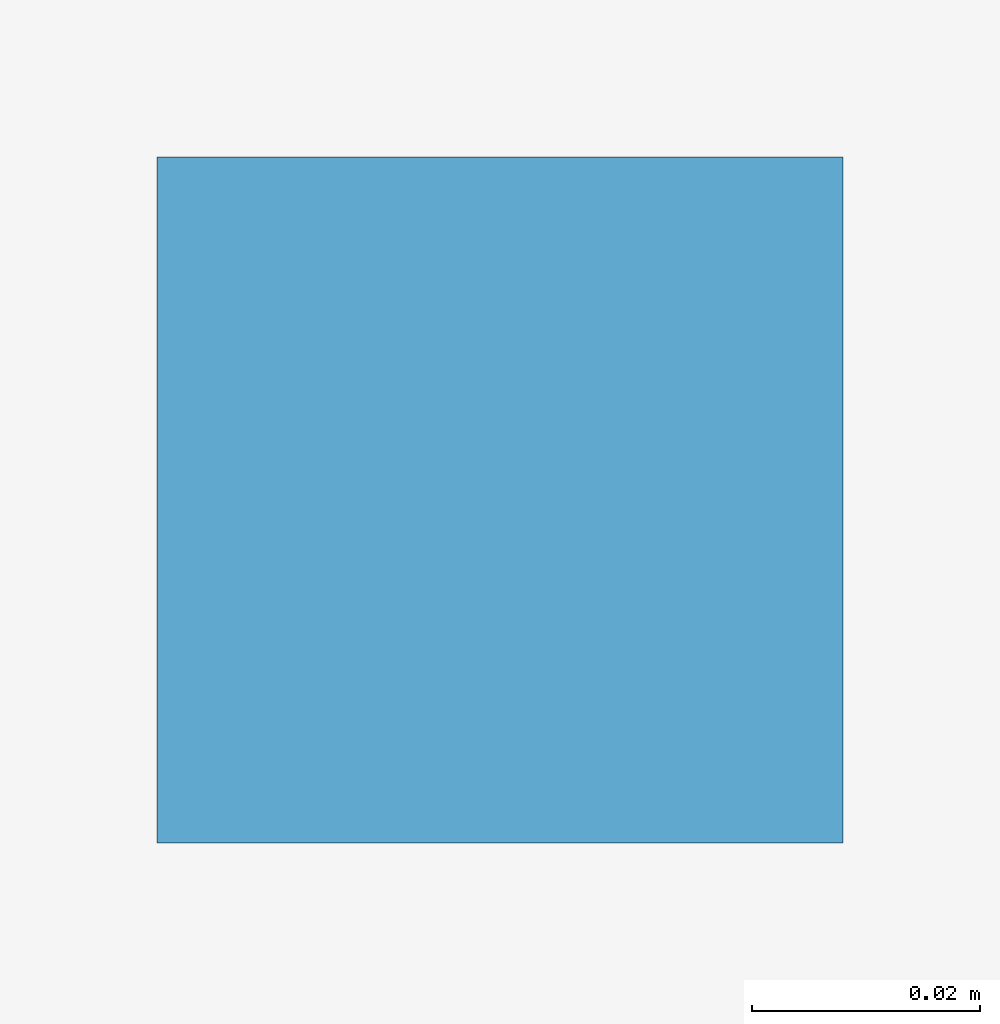
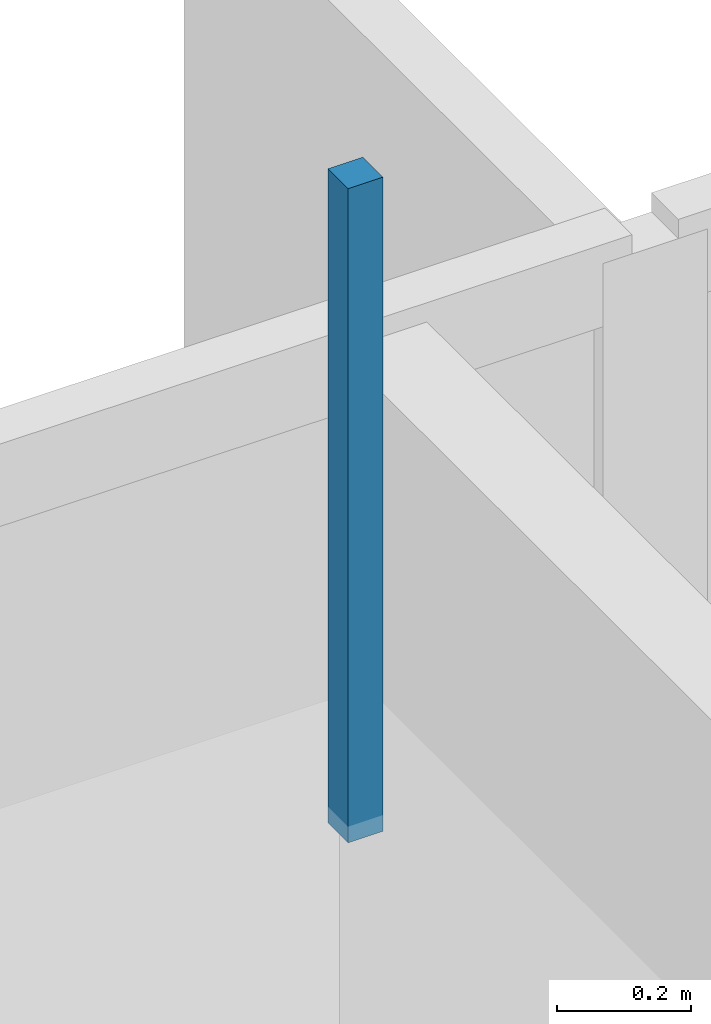
# One storey, part 31 of 41: 1 discrete accessory.
"""IFC4 building model written with IfcOpenShell, lengths in metres."""

import ifcopenshell
import ifcopenshell.guid

model = None  # the IFC model being written
_history = None  # IfcOwnerHistory: only IFC2X3 demands one
_inside = {}  # id of a spatial element -> (the spatial element, [elements in it])
_under = {}  # id of a project, library or spatial element -> (it, [spatial elements below it])
_declared = {}  # id of a project -> (the project, [libraries it declares])
_typed = {}  # id of a type object -> (the type object, [elements of that type])
_made_of = {}  # id of a material, layer set ... -> (it, [elements and type objects made of it])


def new_model(schema):
    """Start an empty IFC model of exactly this schema.

    Asked for "IFC4X3", IfcOpenShell would pick the latest addendum, in which some entities
    have other attributes; the version numbers below select the first issue.
    IFC2X3 requires an IfcOwnerHistory on every rooted entity: one is made here for all.
    """
    global model, _history
    if schema == "IFC4X3":
        model = ifcopenshell.file(schema_version=(4, 3, 0, 0))
    else:
        model = ifcopenshell.file(schema=schema)
    _inside.clear()
    _under.clear()
    _declared.clear()
    _typed.clear()
    _made_of.clear()
    _history = None
    if model.schema == "IFC2X3":
        org = make("IfcOrganization", Name="unknown")
        user = make(
            "IfcPersonAndOrganization",
            ThePerson=make("IfcPerson", FamilyName="unknown"),
            TheOrganization=org,
        )
        app = make(
            "IfcApplication",
            ApplicationDeveloper=org,
            Version="unknown",
            ApplicationFullName="unknown",
            ApplicationIdentifier="unknown",
        )
        _history = make(
            "IfcOwnerHistory",
            OwningUser=user,
            OwningApplication=app,
            ChangeAction="ADDED",
            CreationDate=0,
        )
    return model


def make(cls, **values):
    """One entity of the class cls with the attributes given. An attribute that is None is left unset."""
    return model.create_entity(
        cls, **{name: value for name, value in values.items() if value is not None}
    )


def rooted(cls, **values):
    """An entity with a GlobalId (a new one), such as an element, a storey or a relation."""
    return make(cls, GlobalId=ifcopenshell.guid.new(), OwnerHistory=_history, **values)


def si_unit(unit_type, name, prefix=None):
    """IfcSIUnit, for example si_unit("LENGTHUNIT", "METRE", prefix="MILLI")."""
    return make("IfcSIUnit", UnitType=unit_type, Prefix=prefix, Name=name)


def assignment(units):
    """IfcUnitAssignment: the units of a project."""
    return None if units is None else make("IfcUnitAssignment", Units=units)


def point(xyz):
    """IfcCartesianPoint."""
    return None if xyz is None else make("IfcCartesianPoint", Coordinates=xyz)


def direction(xyz):
    """IfcDirection."""
    return None if xyz is None else make("IfcDirection", DirectionRatios=xyz)


def frame(location, z_axis=None, x_axis=None):
    """IfcAxis2Placement3D, a coordinate frame: its origin and axes. An axis left out is left unset."""
    return make(
        "IfcAxis2Placement3D",
        Location=point(location),
        Axis=direction(z_axis),
        RefDirection=direction(x_axis),
    )


def origin():
    """The frame at (0, 0, 0) with its axes left unset."""
    return frame((0.0, 0.0, 0.0))


def place(relative_to, where):
    """IfcLocalPlacement: puts the frame where relative to a parent placement (None: the world)."""
    return make(
        "IfcLocalPlacement", PlacementRelTo=relative_to, RelativePlacement=where
    )


def context(
    kind, dimensions, precision=None, world=None, true_north=None, identifier=None
):
    """IfcGeometricRepresentationContext, for example the 3D "Model" context."""
    return make(
        "IfcGeometricRepresentationContext",
        ContextIdentifier=identifier,
        ContextType=kind,
        CoordinateSpaceDimension=dimensions,
        Precision=precision,
        WorldCoordinateSystem=world,
        TrueNorth=true_north,
    )


def subcontext(parent, identifier, kind, view, scale=None):
    """IfcGeometricRepresentationSubContext, for example "Body" below "Model"."""
    return make(
        "IfcGeometricRepresentationSubContext",
        ContextIdentifier=identifier,
        ContextType=kind,
        ParentContext=parent,
        TargetScale=scale,
        TargetView=view,
    )


def project(units=None, contexts=None):
    """IfcProject with its units and contexts."""
    return rooted(
        "IfcProject",
        Name="project",
        RepresentationContexts=contexts,
        UnitsInContext=assignment(units),
    )


def spatial(cls, under=None, at=None, **own):
    """A site, building, storey or space (cls), placed at a placement, below another one or the project."""
    s = rooted(cls, ObjectPlacement=at, **own)
    if under is not None:
        _under.setdefault(under.id(), (under, []))[1].append(s)
    return s


def polyline(points):
    """IfcPolyline through the points."""
    return make("IfcPolyline", Points=[point(p) for p in points])


def outline(outer, holes=None, kind="AREA"):
    """IfcArbitraryClosedProfileDef: a profile drawn as a closed curve; with holes, ...WithVoids."""
    if holes is None:
        return make("IfcArbitraryClosedProfileDef", ProfileType=kind, OuterCurve=outer)
    return make(
        "IfcArbitraryProfileDefWithVoids",
        ProfileType=kind,
        OuterCurve=outer,
        InnerCurves=holes,
    )


def extrude(swept, where, along, depth):
    """IfcExtrudedAreaSolid: the profile swept, set in the frame where, extruded along a direction by depth."""
    return make(
        "IfcExtrudedAreaSolid",
        SweptArea=swept,
        Position=where,
        ExtrudedDirection=direction(along),
        Depth=depth,
    )


def shape(context_of_items, identifier, shape_type, items):
    """IfcShapeRepresentation: the items that make up one representation, for example the "Body"."""
    return make(
        "IfcShapeRepresentation",
        ContextOfItems=context_of_items,
        RepresentationIdentifier=identifier,
        RepresentationType=shape_type,
        Items=items,
    )


def material(Name=None, Category=None):
    """IfcMaterial."""
    return make("IfcMaterial", Name=Name, Category=Category)


def made_of(thing, what):
    """Note that an element or type object is made of a material, layer set ...; save() writes the relation."""
    if what is not None:
        _made_of.setdefault(what.id(), (what, []))[1].append(thing)
    return thing


def type_object(cls, material=None, **own):
    """A type object (cls), such as IfcWallType, which elements share."""
    return made_of(rooted(cls, **own), material)


def element(
    cls,
    number,
    at=None,
    inside=None,
    cuts=None,
    type_object=None,
    material=None,
    context=None,
    identifier="Body",
    shape_type=None,
    held_by="IfcProductDefinitionShape",
    body=None,
    shapes=None,
    **own,
):
    """One element of the class cls, such as IfcWall. Its Tag is "e" and its number.

    at: its placement. inside: the storey or other place that contains it. cuts: it is an
    opening in that element (IfcRelVoidsElement). A single representation is given by context,
    identifier, shape_type and body (its items); several are given by shapes. held_by: the class
    of the entity that holds the representations. save() writes the other relations.
    """
    e = rooted(cls, Tag="e%d" % number, ObjectPlacement=at, **own)
    if body is not None:
        shapes = [shape(context, identifier, shape_type, body)]
    if shapes is not None:
        e.Representation = make(held_by, Representations=shapes)
    if inside is not None:
        _inside.setdefault(inside.id(), (inside, []))[1].append(e)
    if cuts is not None:
        rooted(
            "IfcRelVoidsElement", RelatingBuildingElement=cuts, RelatedOpeningElement=e
        )
    if type_object is not None:
        _typed.setdefault(type_object.id(), (type_object, []))[1].append(e)
    return made_of(e, material)


def aggregate(whole, parts):
    """IfcRelAggregates: a whole, such as a stair, and the parts it consists of."""
    return rooted("IfcRelAggregates", RelatingObject=whole, RelatedObjects=parts)


def save(model, path):
    """Write the relations noted so far, then the file.

    IfcRelAggregates (storeys below a building ...), IfcRelContainedInSpatialStructure (elements
    in a storey), IfcRelDefinesByType, IfcRelAssociatesMaterial and IfcRelDeclares: one each for
    every whole, place, type object, material and project.
    """
    for whole, parts in _under.values():
        aggregate(whole, parts)
    for where, things in _inside.values():
        rooted(
            "IfcRelContainedInSpatialStructure",
            RelatedElements=things,
            RelatingStructure=where,
        )
    for kind, things in _typed.values():
        rooted("IfcRelDefinesByType", RelatedObjects=things, RelatingType=kind)
    for what, things in _made_of.values():
        rooted("IfcRelAssociatesMaterial", RelatedObjects=things, RelatingMaterial=what)
    for by, libraries in _declared.values():
        rooted("IfcRelDeclares", RelatingContext=by, RelatedDefinitions=libraries)
    model.write(path)


model = new_model("IFC4")

# Units and contexts
model_context = context("Model", 3, precision=1e-05, world=origin(), true_north=direction((0.0, 1.0)))
body_context = subcontext(model_context, "Body", "Model", "MODEL_VIEW")
ifc_project = project(units=[si_unit("LENGTHUNIT", "METRE"), si_unit("AREAUNIT", "SQUARE_METRE"), si_unit("VOLUMEUNIT", "CUBIC_METRE"), si_unit("PLANEANGLEUNIT", "RADIAN"), si_unit("MASSUNIT", "GRAM", prefix="KILO")], contexts=[model_context])

# Site, building, storey
site_placement = place(None, origin())
site = spatial("IfcSite", under=ifc_project, at=site_placement, CompositionType="ELEMENT")
building_placement = place(site_placement, origin())
building = spatial("IfcBuilding", under=site, at=building_placement, Name="Dunescarp Central Library", CompositionType="ELEMENT")
storey_placement = place(building_placement, frame((0.0, 0.0, 23.10009765625)))
storey = spatial("IfcBuildingStorey", under=building, at=storey_placement, Name="L05", CompositionType="ELEMENT", Elevation=23.10009765625)

# Discrete accessory
ifc_material = material(Name="Stainless steel Grade 316L", Category="steel")
discrete_accessory_type = type_object("IfcDiscreteAccessoryType", Name="ARC-ACC-BRK", PredefinedType="BRACKET", material=ifc_material)
discrete_accessory_placement = place(storey_placement, frame((0.0, 0.0, 3.059814453125)))
element("IfcDiscreteAccessory", 1, at=discrete_accessory_placement, inside=storey, type_object=discrete_accessory_type, Name="L05 ceiling hanger CLG-L05-040-H2", PredefinedType="BRACKET", context=body_context, shape_type="SweptSolid", body=[
    extrude(outline(polyline([(25.919921875, 36.3798828125), (25.97998046875, 36.3798828125), (25.97998046875, 36.43994140625), (25.919921875, 36.43994140625), (25.919921875, 36.3798828125)])), origin(), (0.0, 0.0, 1.0), 1.190185546875),
])

save(model, "model.ifc")
